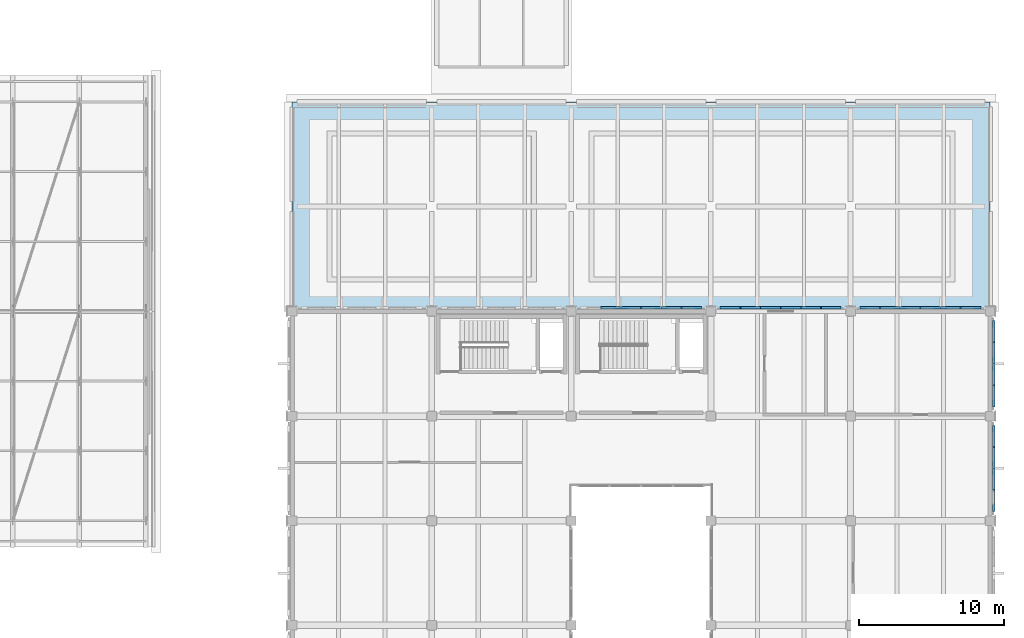
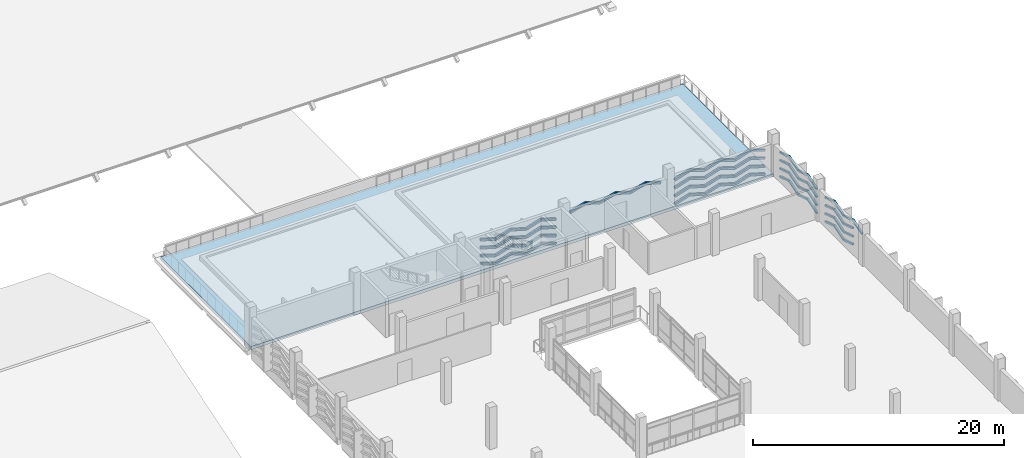
# One storey, part 106 of 134: 79 plates, 1 slab.
"""IFC4 building model written with IfcOpenShell, lengths in metres."""

from ifc_helpers import new_model, si_unit, direction, frame, origin, origin_2d, place, context, subcontext, project, spatial, polyline, hollow_rectangle, outline, extrude, material, layer, layer_set, material_profile, profile_set, type_object, element, save


model = new_model("IFC4")

# Units and contexts
model_context = context("Model", 3, precision=1e-05, world=origin(), true_north=direction((0.0, 1.0)))
body_context = subcontext(model_context, "Body", "Model", "MODEL_VIEW")
ifc_project = project(units=[si_unit("LENGTHUNIT", "METRE"), si_unit("AREAUNIT", "SQUARE_METRE"), si_unit("VOLUMEUNIT", "CUBIC_METRE"), si_unit("PLANEANGLEUNIT", "RADIAN"), si_unit("MASSUNIT", "GRAM", prefix="KILO")], contexts=[model_context])

# Site, building, storey
site_placement = place(None, origin())
site = spatial("IfcSite", under=ifc_project, at=site_placement, CompositionType="ELEMENT")
building_placement = place(site_placement, origin())
building = spatial("IfcBuilding", under=site, at=building_placement, Name="Asteropetra Specialist Clinic", CompositionType="ELEMENT")
storey_placement = place(building_placement, frame((0.0, 0.0, 8.5)))
storey = spatial("IfcBuildingStorey", under=building, at=storey_placement, Name="L02", CompositionType="ELEMENT", Elevation=8.5)

# Plates
ifc_material_1 = material(Name="Chevron emerald aluminium 6063-T6", Category="aluminium")
ifc_material_profile = material_profile(ifc_material_1, hollow_rectangle(XDim=0.179931640625, YDim=0.179931640625, WallThickness=0.010009765625, InnerFilletRadius=0.008056640625, OuterFilletRadius=0.01611328125, at=origin_2d()), Name="SHS 180x180x10.0")
ifc_profile_set = profile_set([ifc_material_profile], Name="Chevron emerald aluminium 6063-T6")
plate_type = type_object("IfcPlateType", Name="CHV-RIB-180", PredefinedType="SHEET", material=ifc_profile_set)
plate_1_placement = place(storey_placement, frame((133.735107421875, 48.239501953125, 0.050048828125), z_axis=(-0.952430080856, 0.0, 0.304757183805), x_axis=(0.0, -1.0, 0.0)))
element("IfcPlate", 1, at=plate_1_placement, inside=storey, type_object=plate_type, Name="Chevron Facade Screen Fin CVR-2584", PredefinedType="SHEET", context=body_context, shape_type="SweptSolid", body=[
    extrude(hollow_rectangle(XDim=0.179931640625, YDim=0.179931640625, WallThickness=0.010009765625, InnerFilletRadius=0.008056640625, OuterFilletRadius=0.01611328125, at=origin_2d()), origin(), (0.0, 0.0, 1.0), 1.43310546875),
])
plate_2_placement = place(storey_placement, frame((132.3701171875, 48.239501953125, 0.48681640625), z_axis=(-0.952445898647, 0.0, -0.304707745472), x_axis=(0.0, -1.0, 0.0)))
element("IfcPlate", 2, at=plate_2_placement, inside=storey, type_object=plate_type, Name="Chevron Facade Screen Fin CVR-2585", PredefinedType="SHEET", context=body_context, shape_type="SweptSolid", body=[
    extrude(hollow_rectangle(XDim=0.179931640625, YDim=0.179931640625, WallThickness=0.010009765625, InnerFilletRadius=0.008056640625, OuterFilletRadius=0.01611328125, at=origin_2d()), origin(), (0.0, 0.0, 1.0), 1.433349609375),
])
plate_3_placement = place(storey_placement, frame((133.735107421875, 48.239501953125, 0.820068359375), z_axis=(-0.952479516829, 0.0, 0.304602642835), x_axis=(0.0, -1.0, 0.0)))
element("IfcPlate", 3, at=plate_3_placement, inside=storey, type_object=plate_type, Name="Chevron Facade Screen Fin CVR-2586", PredefinedType="SHEET", context=body_context, shape_type="SweptSolid", body=[
    extrude(hollow_rectangle(XDim=0.179931640625, YDim=0.179931640625, WallThickness=0.010009765625, InnerFilletRadius=0.008056640625, OuterFilletRadius=0.01611328125, at=origin_2d()), origin(), (0.0, 0.0, 1.0), 1.43310546875),
])
plate_4_placement = place(storey_placement, frame((132.3701171875, 48.239501953125, 1.256591796875), z_axis=(-0.952495319401, 0.0, -0.304553224444), x_axis=(0.0, -1.0, 0.0)))
element("IfcPlate", 4, at=plate_4_placement, inside=storey, type_object=plate_type, Name="Chevron Facade Screen Fin CVR-2587", PredefinedType="SHEET", context=body_context, shape_type="SweptSolid", body=[
    extrude(hollow_rectangle(XDim=0.179931640625, YDim=0.179931640625, WallThickness=0.010009765625, InnerFilletRadius=0.008056640625, OuterFilletRadius=0.01611328125, at=origin_2d()), origin(), (0.0, 0.0, 1.0), 1.433349609375),
])
plate_5_placement = place(storey_placement, frame((133.735107421875, 48.239501953125, 1.6201171875), z_axis=(-0.952479516829, 0.0, 0.304602642835), x_axis=(0.0, -1.0, 0.0)))
element("IfcPlate", 5, at=plate_5_placement, inside=storey, type_object=plate_type, Name="Chevron Facade Screen Fin CVR-2588", PredefinedType="SHEET", context=body_context, shape_type="SweptSolid", body=[
    extrude(hollow_rectangle(XDim=0.179931640625, YDim=0.179931640625, WallThickness=0.010009765625, InnerFilletRadius=0.008056640625, OuterFilletRadius=0.01611328125, at=origin_2d()), origin(), (0.0, 0.0, 1.0), 1.43310546875),
])
plate_6_placement = place(storey_placement, frame((132.3701171875, 48.239501953125, 2.056640625), z_axis=(-0.952495319401, 0.0, -0.304553224444), x_axis=(0.0, -1.0, 0.0)))
element("IfcPlate", 6, at=plate_6_placement, inside=storey, type_object=plate_type, Name="Chevron Facade Screen Fin CVR-2589", PredefinedType="SHEET", context=body_context, shape_type="SweptSolid", body=[
    extrude(hollow_rectangle(XDim=0.179931640625, YDim=0.179931640625, WallThickness=0.010009765625, InnerFilletRadius=0.008056640625, OuterFilletRadius=0.01611328125, at=origin_2d()), origin(), (0.0, 0.0, 1.0), 1.433349609375),
])
plate_7_placement = place(storey_placement, frame((133.735107421875, 48.239501953125, 2.39990234375), z_axis=(-0.952430080856, 0.0, 0.304757183805), x_axis=(0.0, -1.0, 0.0)))
element("IfcPlate", 7, at=plate_7_placement, inside=storey, type_object=plate_type, Name="Chevron Facade Screen Fin CVR-2590", PredefinedType="SHEET", context=body_context, shape_type="SweptSolid", body=[
    extrude(hollow_rectangle(XDim=0.179931640625, YDim=0.179931640625, WallThickness=0.010009765625, InnerFilletRadius=0.008056640625, OuterFilletRadius=0.01611328125, at=origin_2d()), origin(), (0.0, 0.0, 1.0), 1.43310546875),
])
plate_8_placement = place(storey_placement, frame((132.3701171875, 48.239501953125, 2.836669921875), z_axis=(-0.952445898647, 0.0, -0.304707745472), x_axis=(0.0, -1.0, 0.0)))
element("IfcPlate", 8, at=plate_8_placement, inside=storey, type_object=plate_type, Name="Chevron Facade Screen Fin CVR-2591", PredefinedType="SHEET", context=body_context, shape_type="SweptSolid", body=[
    extrude(hollow_rectangle(XDim=0.179931640625, YDim=0.179931640625, WallThickness=0.010009765625, InnerFilletRadius=0.008056640625, OuterFilletRadius=0.01611328125, at=origin_2d()), origin(), (0.0, 0.0, 1.0), 1.433349609375),
])
for number, where, z_axis, x_axis, name in (
    (9, (130.965087890625, 48.239501953125, 0.050048828125), (-0.952430080856, 0.0, 0.304757183805), (0.0, -1.0, 0.0), "Chevron Facade Screen Fin CVR-2592"),
    (10, (129.60009765625, 48.239501953125, 0.48681640625), (-0.952430080856, 0.0, -0.304757183805), (0.0, -1.0, 0.0), "Chevron Facade Screen Fin CVR-2593"),
    (11, (130.965087890625, 48.239501953125, 0.820068359375), (-0.952479516829, 0.0, 0.304602642835), (0.0, -1.0, 0.0), "Chevron Facade Screen Fin CVR-2594"),
    (12, (129.60009765625, 48.239501953125, 1.256591796875), (-0.952479516829, 0.0, -0.304602642835), (0.0, -1.0, 0.0), "Chevron Facade Screen Fin CVR-2595"),
    (13, (130.965087890625, 48.239501953125, 1.6201171875), (-0.952479516829, 0.0, 0.304602642835), (0.0, -1.0, 0.0), "Chevron Facade Screen Fin CVR-2596"),
    (14, (129.60009765625, 48.239501953125, 2.056640625), (-0.952479516829, 0.0, -0.304602642835), (0.0, -1.0, 0.0), "Chevron Facade Screen Fin CVR-2597"),
    (15, (130.965087890625, 48.239501953125, 2.39990234375), (-0.952430080856, 0.0, 0.304757183805), (0.0, -1.0, 0.0), "Chevron Facade Screen Fin CVR-2598"),
    (16, (129.60009765625, 48.239501953125, 2.836669921875), (-0.952430080856, 0.0, -0.304757183805), (0.0, -1.0, 0.0), "Chevron Facade Screen Fin CVR-2599"),
    (17, (128.195068359375, 48.239501953125, 0.050048828125), (-0.952430080856, 0.0, 0.304757183805), (0.0, -1.0, 0.0), "Chevron Facade Screen Fin CVR-2600"),
    (18, (128.195068359375, 48.239501953125, 0.820068359375), (-0.952479516829, 0.0, 0.304602642835), (0.0, -1.0, 0.0), "Chevron Facade Screen Fin CVR-2602"),
    (19, (128.195068359375, 48.239501953125, 1.6201171875), (-0.952479516829, 0.0, 0.304602642835), (0.0, -1.0, 0.0), "Chevron Facade Screen Fin CVR-2604"),
    (20, (128.195068359375, 48.239501953125, 2.39990234375), (-0.952430080856, 0.0, 0.304757183805), (0.0, -1.0, 0.0), "Chevron Facade Screen Fin CVR-2606"),
):
    element("IfcPlate", number, at=place(storey_placement, frame(where, z_axis=z_axis, x_axis=x_axis)), inside=storey, type_object=plate_type, Name=name, PredefinedType="SHEET", context=body_context, shape_type="SweptSolid", body=[
        extrude(hollow_rectangle(XDim=0.179931640625, YDim=0.179931640625, WallThickness=0.010009765625, InnerFilletRadius=0.008056640625, OuterFilletRadius=0.01611328125, at=origin_2d()), origin(), (0.0, 0.0, 1.0), 1.43310546875),
    ])
for number, where, z_axis, x_axis, name in (
    (21, (143.3349609375, 48.239501953125, 2.60009765625), (-0.957746097767, 0.0, 0.287615041701), (0.0, -1.0, 0.0), "Chevron Facade Screen Fin CVR-2632"),
    (22, (141.969970703125, 48.239501953125, 3.010009765625), (-0.957746097767, 0.0, -0.287615041701), (0.0, -1.0, 0.0), "Chevron Facade Screen Fin CVR-2633"),
    (23, (140.56494140625, 48.239501953125, 2.60009765625), (-0.957746097767, 0.0, 0.287615041701), (0.0, -1.0, 0.0), "Chevron Facade Screen Fin CVR-2634"),
    (24, (139.199951171875, 48.239501953125, 3.010009765625), (-0.957746097767, 0.0, -0.287615041701), (0.0, -1.0, 0.0), "Chevron Facade Screen Fin CVR-2635"),
    (25, (137.794921875, 48.239501953125, 2.60009765625), (-0.957746097767, 0.0, 0.287615041701), (0.0, -1.0, 0.0), "Chevron Facade Screen Fin CVR-2636"),
    (26, (136.429931640625, 48.239501953125, 3.010009765625), (-0.957746097767, 0.0, -0.287615041701), (0.0, -1.0, 0.0), "Chevron Facade Screen Fin CVR-2637"),
):
    element("IfcPlate", number, at=place(storey_placement, frame(where, z_axis=z_axis, x_axis=x_axis)), inside=storey, type_object=plate_type, Name=name, PredefinedType="SHEET", context=body_context, shape_type="SweptSolid", body=[
        extrude(hollow_rectangle(XDim=0.179931640625, YDim=0.179931640625, WallThickness=0.010009765625, InnerFilletRadius=0.008056640625, OuterFilletRadius=0.01611328125, at=origin_2d()), origin(), (0.0, 0.0, 1.0), 1.42529296875),
    ])
for number, where, z_axis, x_axis, name in (
    (27, (152.93505859375, 48.239501953125, 0.050048828125), (-0.952430080856, 0.0, 0.304757183805), (0.0, -1.0, 0.0), "Chevron Facade Screen Fin CVR-2662"),
    (28, (151.570068359375, 48.239501953125, 0.48681640625), (-0.952430080856, 0.0, -0.304757183805), (0.0, -1.0, 0.0), "Chevron Facade Screen Fin CVR-2663"),
    (29, (152.93505859375, 48.239501953125, 0.820068359375), (-0.952479516829, 0.0, 0.304602642835), (0.0, -1.0, 0.0), "Chevron Facade Screen Fin CVR-2664"),
    (30, (151.570068359375, 48.239501953125, 1.256591796875), (-0.952479516829, 0.0, -0.304602642835), (0.0, -1.0, 0.0), "Chevron Facade Screen Fin CVR-2665"),
    (31, (152.93505859375, 48.239501953125, 1.6201171875), (-0.952479516829, 0.0, 0.304602642835), (0.0, -1.0, 0.0), "Chevron Facade Screen Fin CVR-2666"),
    (32, (151.570068359375, 48.239501953125, 2.056640625), (-0.952479516829, 0.0, -0.304602642835), (0.0, -1.0, 0.0), "Chevron Facade Screen Fin CVR-2667"),
    (33, (152.93505859375, 48.239501953125, 2.39990234375), (-0.952430080856, 0.0, 0.304757183805), (0.0, -1.0, 0.0), "Chevron Facade Screen Fin CVR-2668"),
    (34, (151.570068359375, 48.239501953125, 2.836669921875), (-0.952430080856, 0.0, -0.304757183805), (0.0, -1.0, 0.0), "Chevron Facade Screen Fin CVR-2669"),
    (35, (150.1650390625, 48.239501953125, 0.050048828125), (-0.952430080856, 0.0, 0.304757183805), (0.0, -1.0, 0.0), "Chevron Facade Screen Fin CVR-2670"),
    (36, (148.800048828125, 48.239501953125, 0.48681640625), (-0.952430080856, 0.0, -0.304757183805), (0.0, -1.0, 0.0), "Chevron Facade Screen Fin CVR-2671"),
    (37, (150.1650390625, 48.239501953125, 0.820068359375), (-0.952479516829, 0.0, 0.304602642835), (0.0, -1.0, 0.0), "Chevron Facade Screen Fin CVR-2672"),
    (38, (148.800048828125, 48.239501953125, 1.256591796875), (-0.952479516829, 0.0, -0.304602642835), (0.0, -1.0, 0.0), "Chevron Facade Screen Fin CVR-2673"),
    (39, (150.1650390625, 48.239501953125, 1.6201171875), (-0.952479516829, 0.0, 0.304602642835), (0.0, -1.0, 0.0), "Chevron Facade Screen Fin CVR-2674"),
    (40, (148.800048828125, 48.239501953125, 2.056640625), (-0.952479516829, 0.0, -0.304602642835), (0.0, -1.0, 0.0), "Chevron Facade Screen Fin CVR-2675"),
    (41, (150.1650390625, 48.239501953125, 2.39990234375), (-0.952430080856, 0.0, 0.304757183805), (0.0, -1.0, 0.0), "Chevron Facade Screen Fin CVR-2676"),
    (42, (148.800048828125, 48.239501953125, 2.836669921875), (-0.952430080856, 0.0, -0.304757183805), (0.0, -1.0, 0.0), "Chevron Facade Screen Fin CVR-2677"),
    (43, (147.39501953125, 48.239501953125, 0.050048828125), (-0.952430080856, 0.0, 0.304757183805), (0.0, -1.0, 0.0), "Chevron Facade Screen Fin CVR-2678"),
    (44, (146.030029296875, 48.239501953125, 0.48681640625), (-0.952430080856, 0.0, -0.304757183805), (0.0, -1.0, 0.0), "Chevron Facade Screen Fin CVR-2679"),
    (45, (147.39501953125, 48.239501953125, 0.820068359375), (-0.952479516829, 0.0, 0.304602642835), (0.0, -1.0, 0.0), "Chevron Facade Screen Fin CVR-2680"),
    (46, (146.030029296875, 48.239501953125, 1.256591796875), (-0.952479516829, 0.0, -0.304602642835), (0.0, -1.0, 0.0), "Chevron Facade Screen Fin CVR-2681"),
    (47, (147.39501953125, 48.239501953125, 1.6201171875), (-0.952479516829, 0.0, 0.304602642835), (0.0, -1.0, 0.0), "Chevron Facade Screen Fin CVR-2682"),
    (48, (146.030029296875, 48.239501953125, 2.056640625), (-0.952479516829, 0.0, -0.304602642835), (0.0, -1.0, 0.0), "Chevron Facade Screen Fin CVR-2683"),
    (49, (147.39501953125, 48.239501953125, 2.39990234375), (-0.952430080856, 0.0, 0.304757183805), (0.0, -1.0, 0.0), "Chevron Facade Screen Fin CVR-2684"),
    (50, (146.030029296875, 48.239501953125, 2.836669921875), (-0.952430080856, 0.0, -0.304757183805), (0.0, -1.0, 0.0), "Chevron Facade Screen Fin CVR-2685"),
):
    element("IfcPlate", number, at=place(storey_placement, frame(where, z_axis=z_axis, x_axis=x_axis)), inside=storey, type_object=plate_type, Name=name, PredefinedType="SHEET", context=body_context, shape_type="SweptSolid", body=[
        extrude(hollow_rectangle(XDim=0.179931640625, YDim=0.179931640625, WallThickness=0.010009765625, InnerFilletRadius=0.008056640625, OuterFilletRadius=0.01611328125, at=origin_2d()), origin(), (0.0, 0.0, 1.0), 1.43310546875),
    ])
for number, where, z_axis, x_axis, name in (
    (51, (153.839599609375, 35.722412109375, 0.515869140625), (0.0, 0.952535238788, -0.304428347673), (-1.0, 0.0, 0.0), "Chevron Facade Screen Fin CVR-2847"),
    (52, (153.839599609375, 35.722412109375, 1.285888671875), (0.0, 0.952535238788, -0.304428347673), (-1.0, 0.0, 0.0), "Chevron Facade Screen Fin CVR-2849"),
    (53, (153.839599609375, 35.722412109375, 2.0859375), (0.0, 0.952535238788, -0.304428347673), (-1.0, 0.0, 0.0), "Chevron Facade Screen Fin CVR-2851"),
):
    element("IfcPlate", number, at=place(storey_placement, frame(where, z_axis=z_axis, x_axis=x_axis)), inside=storey, type_object=plate_type, Name=name, PredefinedType="SHEET", context=body_context, shape_type="SweptSolid", body=[
        extrude(hollow_rectangle(XDim=0.179931640625, YDim=0.179931640625, WallThickness=0.010009765625, InnerFilletRadius=0.008056640625, OuterFilletRadius=0.01611328125, at=origin_2d()), origin(), (0.0, 0.0, 1.0), 1.530029296875),
    ])
for number, where, z_axis, x_axis, name in (
    (54, (153.839599609375, 34.264892578125, 2.39990234375), (0.0, 0.952488962874, 0.304573103874), (-1.0, 0.0, 0.0), "Chevron Facade Screen Fin CVR-2852"),
    (55, (153.839599609375, 35.722412109375, 2.865966796875), (0.0, 0.952488962874, -0.304573103874), (-1.0, 0.0, 0.0), "Chevron Facade Screen Fin CVR-2853"),
):
    element("IfcPlate", number, at=place(storey_placement, frame(where, z_axis=z_axis, x_axis=x_axis)), inside=storey, type_object=plate_type, Name=name, PredefinedType="SHEET", context=body_context, shape_type="SweptSolid", body=[
        extrude(hollow_rectangle(XDim=0.179931640625, YDim=0.179931640625, WallThickness=0.010009765625, InnerFilletRadius=0.008056640625, OuterFilletRadius=0.01611328125, at=origin_2d()), origin(), (0.0, 0.0, 1.0), 1.5302734375),
    ])
for number, where, z_axis, x_axis, name in (
    (56, (153.839599609375, 37.219970703125, 0.050048828125), (0.0, 0.952535238788, 0.304428347673), (-1.0, 0.0, 0.0), "Chevron Facade Screen Fin CVR-2854"),
    (57, (153.839599609375, 38.677490234375, 0.515869140625), (0.0, 0.952535238788, -0.304428347673), (-1.0, 0.0, 0.0), "Chevron Facade Screen Fin CVR-2855"),
    (58, (153.839599609375, 37.219970703125, 0.820068359375), (0.0, 0.952535238788, 0.304428347673), (-1.0, 0.0, 0.0), "Chevron Facade Screen Fin CVR-2856"),
    (59, (153.839599609375, 38.677490234375, 1.285888671875), (0.0, 0.952535238788, -0.304428347673), (-1.0, 0.0, 0.0), "Chevron Facade Screen Fin CVR-2857"),
    (60, (153.839599609375, 37.219970703125, 1.6201171875), (0.0, 0.952535238788, 0.304428347673), (-1.0, 0.0, 0.0), "Chevron Facade Screen Fin CVR-2858"),
    (61, (153.839599609375, 38.677490234375, 2.0859375), (0.0, 0.952535238788, -0.304428347673), (-1.0, 0.0, 0.0), "Chevron Facade Screen Fin CVR-2859"),
):
    element("IfcPlate", number, at=place(storey_placement, frame(where, z_axis=z_axis, x_axis=x_axis)), inside=storey, type_object=plate_type, Name=name, PredefinedType="SHEET", context=body_context, shape_type="SweptSolid", body=[
        extrude(hollow_rectangle(XDim=0.179931640625, YDim=0.179931640625, WallThickness=0.010009765625, InnerFilletRadius=0.008056640625, OuterFilletRadius=0.01611328125, at=origin_2d()), origin(), (0.0, 0.0, 1.0), 1.530029296875),
    ])
for number, where, z_axis, x_axis, name in (
    (62, (153.839599609375, 37.219970703125, 2.39990234375), (0.0, 0.952488962874, 0.304573103874), (-1.0, 0.0, 0.0), "Chevron Facade Screen Fin CVR-2860"),
    (63, (153.839599609375, 38.677490234375, 2.865966796875), (0.0, 0.952488962874, -0.304573103874), (-1.0, 0.0, 0.0), "Chevron Facade Screen Fin CVR-2861"),
):
    element("IfcPlate", number, at=place(storey_placement, frame(where, z_axis=z_axis, x_axis=x_axis)), inside=storey, type_object=plate_type, Name=name, PredefinedType="SHEET", context=body_context, shape_type="SweptSolid", body=[
        extrude(hollow_rectangle(XDim=0.179931640625, YDim=0.179931640625, WallThickness=0.010009765625, InnerFilletRadius=0.008056640625, OuterFilletRadius=0.01611328125, at=origin_2d()), origin(), (0.0, 0.0, 1.0), 1.5302734375),
    ])
for number, where, z_axis, x_axis, name in (
    (64, (153.839599609375, 41.465087890625, 0.050048828125), (0.0, 0.952535238788, 0.304428347673), (-1.0, 0.0, 0.0), "Chevron Facade Screen Fin CVR-2878"),
    (65, (153.839599609375, 42.922607421875, 0.515869140625), (0.0, 0.952520448524, -0.304474621509), (-1.0, 0.0, 0.0), "Chevron Facade Screen Fin CVR-2879"),
    (66, (153.839599609375, 41.465087890625, 0.820068359375), (0.0, 0.952535238788, 0.304428347673), (-1.0, 0.0, 0.0), "Chevron Facade Screen Fin CVR-2880"),
    (67, (153.839599609375, 42.922607421875, 1.285888671875), (0.0, 0.952520448524, -0.304474621509), (-1.0, 0.0, 0.0), "Chevron Facade Screen Fin CVR-2881"),
    (68, (153.839599609375, 41.465087890625, 1.6201171875), (0.0, 0.952535238788, 0.304428347673), (-1.0, 0.0, 0.0), "Chevron Facade Screen Fin CVR-2882"),
    (69, (153.839599609375, 42.922607421875, 2.0859375), (0.0, 0.952520448524, -0.304474621509), (-1.0, 0.0, 0.0), "Chevron Facade Screen Fin CVR-2883"),
):
    element("IfcPlate", number, at=place(storey_placement, frame(where, z_axis=z_axis, x_axis=x_axis)), inside=storey, type_object=plate_type, Name=name, PredefinedType="SHEET", context=body_context, shape_type="SweptSolid", body=[
        extrude(hollow_rectangle(XDim=0.179931640625, YDim=0.179931640625, WallThickness=0.010009765625, InnerFilletRadius=0.008056640625, OuterFilletRadius=0.01611328125, at=origin_2d()), origin(), (0.0, 0.0, 1.0), 1.530029296875),
    ])
plate_9_placement = place(storey_placement, frame((153.839599609375, 41.465087890625, 2.39990234375), z_axis=(0.0, 0.952488962874, 0.304573103874), x_axis=(-1.0, 0.0, 0.0)))
element("IfcPlate", 70, at=plate_9_placement, inside=storey, type_object=plate_type, Name="Chevron Facade Screen Fin CVR-2884", PredefinedType="SHEET", context=body_context, shape_type="SweptSolid", body=[
    extrude(hollow_rectangle(XDim=0.179931640625, YDim=0.179931640625, WallThickness=0.010009765625, InnerFilletRadius=0.008056640625, OuterFilletRadius=0.01611328125, at=origin_2d()), origin(), (0.0, 0.0, 1.0), 1.5302734375),
])
for number, where, z_axis, x_axis, name in (
    (71, (153.839599609375, 42.922607421875, 2.865966796875), (0.0, 0.952474159261, -0.304619395213), (-1.0, 0.0, 0.0), "Chevron Facade Screen Fin CVR-2885"),
    (72, (153.839599609375, 44.419921875, 0.050048828125), (0.0, 0.952535238788, 0.304428347673), (-1.0, 0.0, 0.0), "Chevron Facade Screen Fin CVR-2886"),
    (73, (153.839599609375, 45.87744140625, 0.515869140625), (0.0, 0.952535238788, -0.304428347673), (-1.0, 0.0, 0.0), "Chevron Facade Screen Fin CVR-2887"),
    (74, (153.839599609375, 44.419921875, 0.820068359375), (0.0, 0.952535238788, 0.304428347673), (-1.0, 0.0, 0.0), "Chevron Facade Screen Fin CVR-2888"),
    (75, (153.839599609375, 45.87744140625, 1.285888671875), (0.0, 0.952535238788, -0.304428347673), (-1.0, 0.0, 0.0), "Chevron Facade Screen Fin CVR-2889"),
    (76, (153.839599609375, 44.419921875, 1.6201171875), (0.0, 0.952535238788, 0.304428347673), (-1.0, 0.0, 0.0), "Chevron Facade Screen Fin CVR-2890"),
    (77, (153.839599609375, 45.87744140625, 2.0859375), (0.0, 0.952535238788, -0.304428347673), (-1.0, 0.0, 0.0), "Chevron Facade Screen Fin CVR-2891"),
):
    element("IfcPlate", number, at=place(storey_placement, frame(where, z_axis=z_axis, x_axis=x_axis)), inside=storey, type_object=plate_type, Name=name, PredefinedType="SHEET", context=body_context, shape_type="SweptSolid", body=[
        extrude(hollow_rectangle(XDim=0.179931640625, YDim=0.179931640625, WallThickness=0.010009765625, InnerFilletRadius=0.008056640625, OuterFilletRadius=0.01611328125, at=origin_2d()), origin(), (0.0, 0.0, 1.0), 1.530029296875),
    ])
for number, where, z_axis, x_axis, name in (
    (78, (153.839599609375, 44.419921875, 2.39990234375), (0.0, 0.952488962874, 0.304573103874), (-1.0, 0.0, 0.0), "Chevron Facade Screen Fin CVR-2892"),
    (79, (153.839599609375, 45.87744140625, 2.865966796875), (0.0, 0.952488962874, -0.304573103874), (-1.0, 0.0, 0.0), "Chevron Facade Screen Fin CVR-2893"),
):
    element("IfcPlate", number, at=place(storey_placement, frame(where, z_axis=z_axis, x_axis=x_axis)), inside=storey, type_object=plate_type, Name=name, PredefinedType="SHEET", context=body_context, shape_type="SweptSolid", body=[
        extrude(hollow_rectangle(XDim=0.179931640625, YDim=0.179931640625, WallThickness=0.010009765625, InnerFilletRadius=0.008056640625, OuterFilletRadius=0.01611328125, at=origin_2d()), origin(), (0.0, 0.0, 1.0), 1.5302734375),
    ])

# Slab
ifc_material_2 = material(Name="Concrete C35/45", Category="concrete")
ifc_layer = layer(ifc_material_2, 0.31005859375)
ifc_layer_set = layer_set([ifc_layer], Name="Concrete C35/45")
slab_type = type_object("IfcSlabType", Name="SLB-TER-310", PredefinedType="ROOF", material=ifc_layer_set)
slab_placement = place(storey_placement, frame((0.0, 0.0, -0.31005859375)))
element("IfcSlab", 80, at=slab_placement, inside=storey, type_object=slab_type, Name="Slab V6-N-GARDEN L02", PredefinedType="ROOF", context=body_context, shape_type="SweptSolid", body=[
    extrude(outline(polyline([(105.60009765625, 48.0), (153.60009765625, 48.0), (153.60009765625, 62.39990234375), (105.60009765625, 62.39990234375), (105.60009765625, 48.0)])), origin(), (0.0, 0.0, 1.0), 0.31005859375),
])

save(model, "model.ifc")
